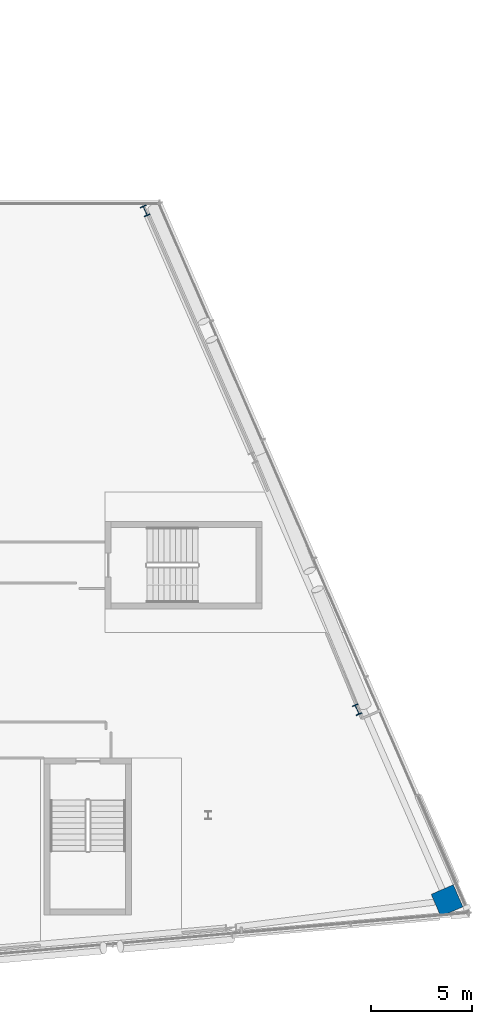
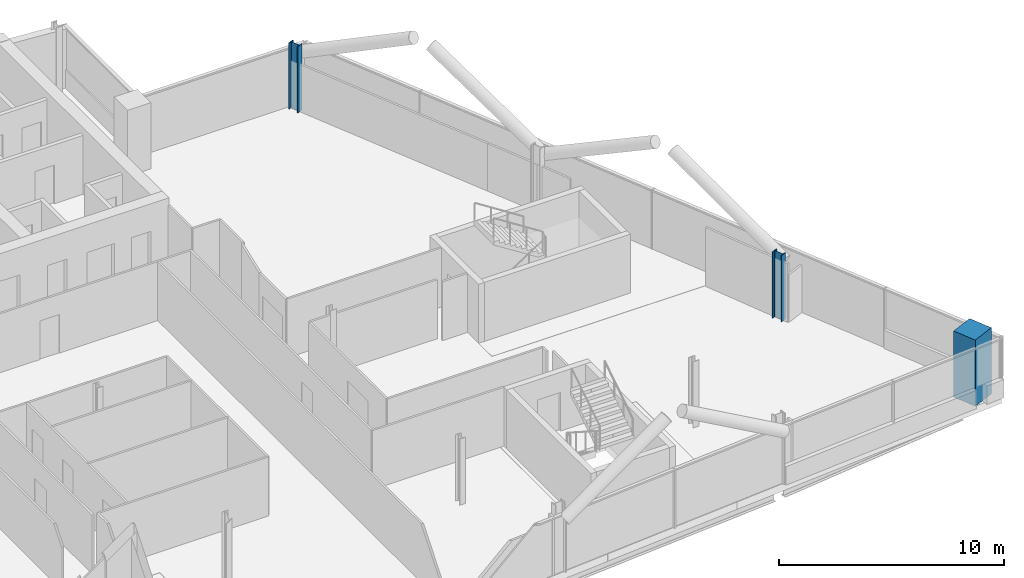
# One storey, part 4 of 25: 3 columns.
"""IFC4 building model written with IfcOpenShell, lengths in metres."""

from ifc_helpers import new_model, si_unit, direction, frame, origin, origin_2d, place, context, subcontext, project, spatial, rectangle, i_section, extrude, material, material_profile, profile_set, type_object, element, save


model = new_model("IFC4")

# Units and contexts
model_context = context("Model", 3, precision=1e-05, world=origin(), true_north=direction((0.0, 1.0)))
body_context = subcontext(model_context, "Body", "Model", "MODEL_VIEW")
ifc_project = project(units=[si_unit("LENGTHUNIT", "METRE"), si_unit("AREAUNIT", "SQUARE_METRE"), si_unit("VOLUMEUNIT", "CUBIC_METRE"), si_unit("PLANEANGLEUNIT", "RADIAN"), si_unit("MASSUNIT", "GRAM", prefix="KILO")], contexts=[model_context])

# Site, building, storey
site_placement = place(None, origin())
site = spatial("IfcSite", under=ifc_project, at=site_placement, CompositionType="ELEMENT")
building_placement = place(site_placement, origin())
building = spatial("IfcBuilding", under=site, at=building_placement, Name="Wharfspan Tower", CompositionType="ELEMENT")
storey_placement = place(building_placement, frame((0.0, 0.0, 239.5)))
storey = spatial("IfcBuildingStorey", under=building, at=storey_placement, Name="L60", CompositionType="ELEMENT", Elevation=239.5)

# Columns
ifc_material_1 = material(Name="Steel S355J2", Category="steel")
ifc_material_profile_1 = material_profile(ifc_material_1, i_section(OverallWidth=0.305908, OverallDepth=0.523926, WebThickness=0.020996, FlangeThickness=0.040039, FilletRadius=0.0271, at=origin_2d()))
ifc_profile_set_1 = profile_set([ifc_material_profile_1], Name="Steel S355J2")
column_type_1 = type_object("IfcColumnType", Name="Column HEM 500", PredefinedType="COLUMN", material=ifc_profile_set_1)
for number, where, z_axis, x_axis, name in (
    (1, (79.409668, 16.761719, 0.0), (0.0, 0.0, 1.0), (0.917072, 0.398727, 0.0), "Perimeter column PE.1 L60"),
    (2, (68.867188, 41.572266, 0.0), (0.0, 0.0, 1.0), (0.917072, 0.398727, 0.0), "Perimeter column PE.3 L60"),
):
    element("IfcColumn", number, at=place(storey_placement, frame(where, z_axis=z_axis, x_axis=x_axis)), inside=storey, type_object=column_type_1, Name=name, PredefinedType="COLUMN", context=body_context, shape_type="SweptSolid", body=[
        extrude(i_section(OverallWidth=0.305908, OverallDepth=0.523926, WebThickness=0.020996, FlangeThickness=0.040039, FilletRadius=0.0271, at=origin_2d()), origin(), (0.0, 0.0, 1.0), 3.600098),
    ])
ifc_material_2 = material(Name="Concrete C50/60", Category="concrete")
ifc_material_profile_2 = material_profile(ifc_material_2, rectangle(XDim=1.199951, YDim=1.199951, at=origin_2d()))
ifc_profile_set_2 = profile_set([ifc_material_profile_2], Name="Concrete C50/60")
column_type_2 = type_object("IfcColumnType", Name="Mega column 1200 C50/60", PredefinedType="COLUMN", material=ifc_profile_set_2)
column_placement = place(storey_placement, frame((83.882812, 7.264648, 0.0), z_axis=(0.0, 0.0, 1.0), x_axis=(-0.398727, 0.917072, 0.0)))
element("IfcColumn", 3, at=column_placement, inside=storey, type_object=column_type_2, Name="Mega column MC4 L60", PredefinedType="COLUMN", context=body_context, shape_type="SweptSolid", body=[
    extrude(rectangle(XDim=1.199951, YDim=1.199951, at=origin_2d()), origin(), (0.0, 0.0, 1.0), 3.600098),
])

save(model, "model.ifc")
